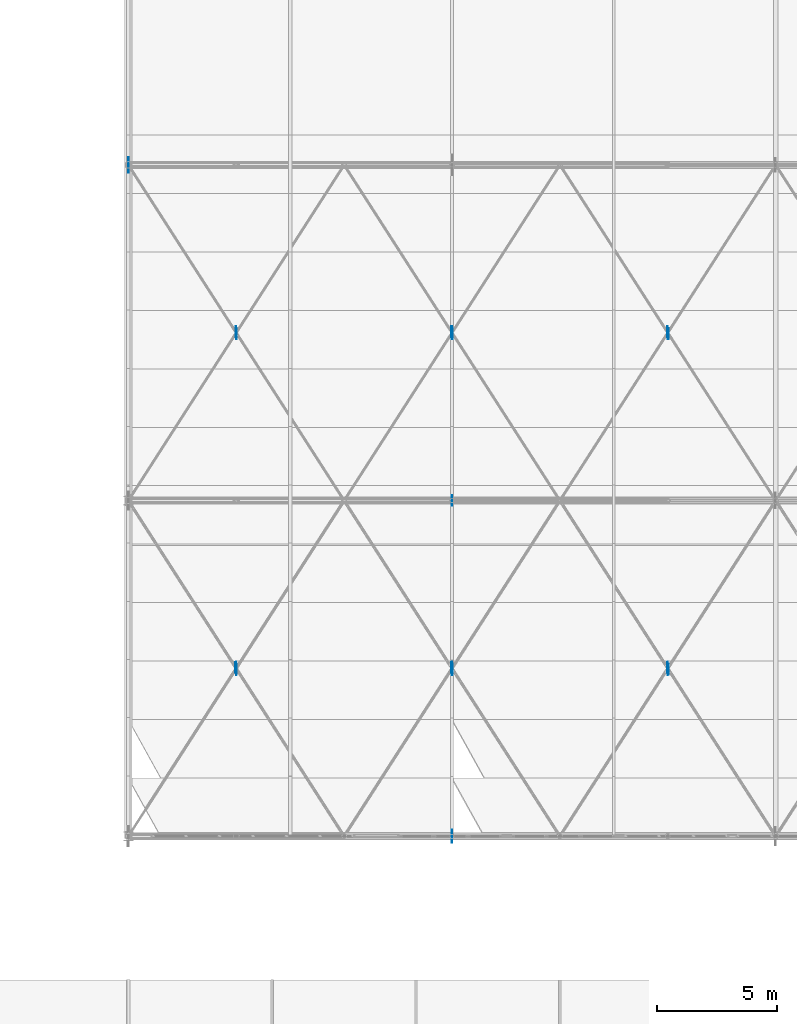
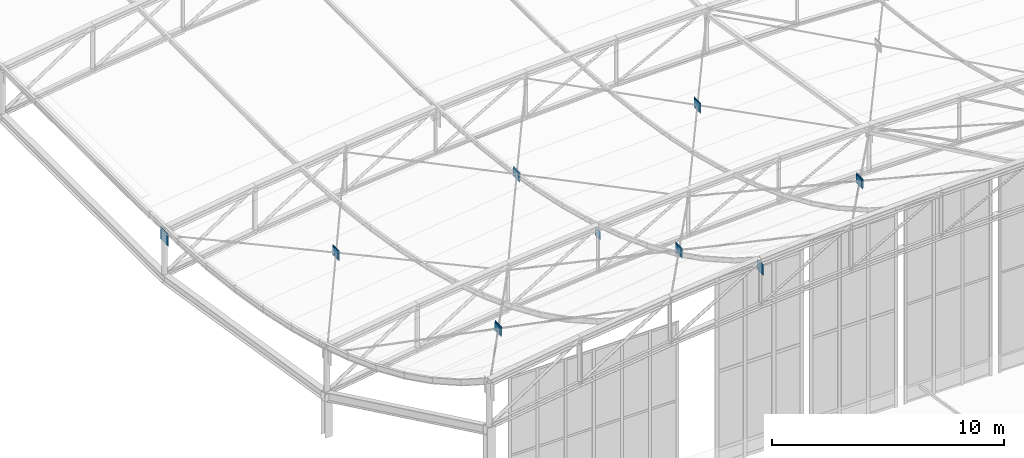
# One storey, part 251 of 262: 21 plates.
"""IFC4 building model written with IfcOpenShell, lengths in metres."""

import ifcopenshell
import ifcopenshell.guid

model = None  # the IFC model being written
_history = None  # IfcOwnerHistory: only IFC2X3 demands one
_inside = {}  # id of a spatial element -> (the spatial element, [elements in it])
_under = {}  # id of a project, library or spatial element -> (it, [spatial elements below it])
_declared = {}  # id of a project -> (the project, [libraries it declares])
_typed = {}  # id of a type object -> (the type object, [elements of that type])
_made_of = {}  # id of a material, layer set ... -> (it, [elements and type objects made of it])


def new_model(schema):
    """Start an empty IFC model of exactly this schema.

    Asked for "IFC4X3", IfcOpenShell would pick the latest addendum, in which some entities
    have other attributes; the version numbers below select the first issue.
    IFC2X3 requires an IfcOwnerHistory on every rooted entity: one is made here for all.
    """
    global model, _history
    if schema == "IFC4X3":
        model = ifcopenshell.file(schema_version=(4, 3, 0, 0))
    else:
        model = ifcopenshell.file(schema=schema)
    _inside.clear()
    _under.clear()
    _declared.clear()
    _typed.clear()
    _made_of.clear()
    _history = None
    if model.schema == "IFC2X3":
        org = make("IfcOrganization", Name="unknown")
        user = make(
            "IfcPersonAndOrganization",
            ThePerson=make("IfcPerson", FamilyName="unknown"),
            TheOrganization=org,
        )
        app = make(
            "IfcApplication",
            ApplicationDeveloper=org,
            Version="unknown",
            ApplicationFullName="unknown",
            ApplicationIdentifier="unknown",
        )
        _history = make(
            "IfcOwnerHistory",
            OwningUser=user,
            OwningApplication=app,
            ChangeAction="ADDED",
            CreationDate=0,
        )
    return model


def make(cls, **values):
    """One entity of the class cls with the attributes given. An attribute that is None is left unset."""
    return model.create_entity(
        cls, **{name: value for name, value in values.items() if value is not None}
    )


def rooted(cls, **values):
    """An entity with a GlobalId (a new one), such as an element, a storey or a relation."""
    return make(cls, GlobalId=ifcopenshell.guid.new(), OwnerHistory=_history, **values)


def si_unit(unit_type, name, prefix=None):
    """IfcSIUnit, for example si_unit("LENGTHUNIT", "METRE", prefix="MILLI")."""
    return make("IfcSIUnit", UnitType=unit_type, Prefix=prefix, Name=name)


def derived_unit(unit_type, elements):
    """IfcDerivedUnit: a product of units, each with its exponent."""
    return make(
        "IfcDerivedUnit",
        Elements=[
            make("IfcDerivedUnitElement", Unit=unit, Exponent=power)
            for unit, power in elements
        ],
        UnitType=unit_type,
    )


def assignment(units):
    """IfcUnitAssignment: the units of a project."""
    return None if units is None else make("IfcUnitAssignment", Units=units)


def point(xyz):
    """IfcCartesianPoint."""
    return None if xyz is None else make("IfcCartesianPoint", Coordinates=xyz)


def direction(xyz):
    """IfcDirection."""
    return None if xyz is None else make("IfcDirection", DirectionRatios=xyz)


def frame(location, z_axis=None, x_axis=None):
    """IfcAxis2Placement3D, a coordinate frame: its origin and axes. An axis left out is left unset."""
    return make(
        "IfcAxis2Placement3D",
        Location=point(location),
        Axis=direction(z_axis),
        RefDirection=direction(x_axis),
    )


def frame_2d(location, x_axis=None):
    """IfcAxis2Placement2D, a coordinate frame in the plane: its origin and x axis."""
    return make(
        "IfcAxis2Placement2D", Location=point(location), RefDirection=direction(x_axis)
    )


def origin():
    """The frame at (0, 0, 0) with its axes left unset."""
    return frame((0.0, 0.0, 0.0))


def origin_2d():
    """The frame at (0, 0) in the plane with its x axis left unset."""
    return frame_2d((0.0, 0.0))


def place(relative_to, where):
    """IfcLocalPlacement: puts the frame where relative to a parent placement (None: the world)."""
    return make(
        "IfcLocalPlacement", PlacementRelTo=relative_to, RelativePlacement=where
    )


def context(
    kind, dimensions, precision=None, world=None, true_north=None, identifier=None
):
    """IfcGeometricRepresentationContext, for example the 3D "Model" context."""
    return make(
        "IfcGeometricRepresentationContext",
        ContextIdentifier=identifier,
        ContextType=kind,
        CoordinateSpaceDimension=dimensions,
        Precision=precision,
        WorldCoordinateSystem=world,
        TrueNorth=true_north,
    )


def subcontext(parent, identifier, kind, view, scale=None):
    """IfcGeometricRepresentationSubContext, for example "Body" below "Model"."""
    return make(
        "IfcGeometricRepresentationSubContext",
        ContextIdentifier=identifier,
        ContextType=kind,
        ParentContext=parent,
        TargetScale=scale,
        TargetView=view,
    )


def project(units=None, contexts=None):
    """IfcProject with its units and contexts."""
    return rooted(
        "IfcProject",
        Name="project",
        RepresentationContexts=contexts,
        UnitsInContext=assignment(units),
    )


def spatial(cls, under=None, at=None, **own):
    """A site, building, storey or space (cls), placed at a placement, below another one or the project."""
    s = rooted(cls, ObjectPlacement=at, **own)
    if under is not None:
        _under.setdefault(under.id(), (under, []))[1].append(s)
    return s


def profile(cls, at=None, kind="AREA", **sizes):
    """A parametric profile (cls). Its sizes go by their IFC names, for example OverallWidth=200.0."""
    return make(cls, ProfileType=kind, Position=at, **sizes)


def rectangle(**sizes):
    """IfcRectangleProfileDef."""
    return profile("IfcRectangleProfileDef", **sizes)


def extrude(swept, where, along, depth):
    """IfcExtrudedAreaSolid: the profile swept, set in the frame where, extruded along a direction by depth."""
    return make(
        "IfcExtrudedAreaSolid",
        SweptArea=swept,
        Position=where,
        ExtrudedDirection=direction(along),
        Depth=depth,
    )


def shape(context_of_items, identifier, shape_type, items):
    """IfcShapeRepresentation: the items that make up one representation, for example the "Body"."""
    return make(
        "IfcShapeRepresentation",
        ContextOfItems=context_of_items,
        RepresentationIdentifier=identifier,
        RepresentationType=shape_type,
        Items=items,
    )


def material(Name=None, Category=None):
    """IfcMaterial."""
    return make("IfcMaterial", Name=Name, Category=Category)


def layer(
    of_material, thickness, ventilated=None, Name=None, Category=None, Priority=None
):
    """IfcMaterialLayer: one layer of a wall or slab, of a material (None: an air gap)."""
    return make(
        "IfcMaterialLayer",
        Material=of_material,
        LayerThickness=thickness,
        IsVentilated=ventilated,
        Name=Name,
        Category=Category,
        Priority=Priority,
    )


def layer_set(layers, Name=None):
    """IfcMaterialLayerSet."""
    return make("IfcMaterialLayerSet", MaterialLayers=layers, LayerSetName=Name)


def made_of(thing, what):
    """Note that an element or type object is made of a material, layer set ...; save() writes the relation."""
    if what is not None:
        _made_of.setdefault(what.id(), (what, []))[1].append(thing)
    return thing


def type_object(cls, material=None, **own):
    """A type object (cls), such as IfcWallType, which elements share."""
    return made_of(rooted(cls, **own), material)


def element(
    cls,
    number,
    at=None,
    inside=None,
    cuts=None,
    type_object=None,
    material=None,
    context=None,
    identifier="Body",
    shape_type=None,
    held_by="IfcProductDefinitionShape",
    body=None,
    shapes=None,
    **own,
):
    """One element of the class cls, such as IfcWall. Its Tag is "e" and its number.

    at: its placement. inside: the storey or other place that contains it. cuts: it is an
    opening in that element (IfcRelVoidsElement). A single representation is given by context,
    identifier, shape_type and body (its items); several are given by shapes. held_by: the class
    of the entity that holds the representations. save() writes the other relations.
    """
    e = rooted(cls, Tag="e%d" % number, ObjectPlacement=at, **own)
    if body is not None:
        shapes = [shape(context, identifier, shape_type, body)]
    if shapes is not None:
        e.Representation = make(held_by, Representations=shapes)
    if inside is not None:
        _inside.setdefault(inside.id(), (inside, []))[1].append(e)
    if cuts is not None:
        rooted(
            "IfcRelVoidsElement", RelatingBuildingElement=cuts, RelatedOpeningElement=e
        )
    if type_object is not None:
        _typed.setdefault(type_object.id(), (type_object, []))[1].append(e)
    return made_of(e, material)


def aggregate(whole, parts):
    """IfcRelAggregates: a whole, such as a stair, and the parts it consists of."""
    return rooted("IfcRelAggregates", RelatingObject=whole, RelatedObjects=parts)


def save(model, path):
    """Write the relations noted so far, then the file.

    IfcRelAggregates (storeys below a building ...), IfcRelContainedInSpatialStructure (elements
    in a storey), IfcRelDefinesByType, IfcRelAssociatesMaterial and IfcRelDeclares: one each for
    every whole, place, type object, material and project.
    """
    for whole, parts in _under.values():
        aggregate(whole, parts)
    for where, things in _inside.values():
        rooted(
            "IfcRelContainedInSpatialStructure",
            RelatedElements=things,
            RelatingStructure=where,
        )
    for kind, things in _typed.values():
        rooted("IfcRelDefinesByType", RelatedObjects=things, RelatingType=kind)
    for what, things in _made_of.values():
        rooted("IfcRelAssociatesMaterial", RelatedObjects=things, RelatingMaterial=what)
    for by, libraries in _declared.values():
        rooted("IfcRelDeclares", RelatingContext=by, RelatedDefinitions=libraries)
    model.write(path)


model = new_model("IFC4")

# Units and contexts
model_context = context("Model", 3, precision=1e-05, world=origin(), true_north=direction((0.0, 1.0)))
body_context = subcontext(model_context, "Body", "Model", "MODEL_VIEW")
ifc_project = project(units=[si_unit("LENGTHUNIT", "METRE"), si_unit("AREAUNIT", "SQUARE_METRE"), si_unit("VOLUMEUNIT", "CUBIC_METRE"), si_unit("PLANEANGLEUNIT", "RADIAN"), si_unit("MASSUNIT", "GRAM", prefix="KILO"), derived_unit("THERMALTRANSMITTANCEUNIT", [(si_unit("POWERUNIT", "WATT"), 1), (si_unit("LENGTHUNIT", "METRE"), -2), (si_unit("THERMODYNAMICTEMPERATUREUNIT", "KELVIN"), -1)])], contexts=[model_context])

# Site, building, storey
site_placement = place(None, origin())
site = spatial("IfcSite", under=ifc_project, at=site_placement, CompositionType="ELEMENT")
building_placement = place(site_placement, origin())
building = spatial("IfcBuilding", under=site, at=building_placement, Name="Almenara Railside Exhibition Hall", CompositionType="ELEMENT")
storey_placement = place(building_placement, frame((0.0, 0.0, 21.699951171875)))
storey = spatial("IfcBuildingStorey", under=building, at=storey_placement, Name="RF", CompositionType="ELEMENT", Elevation=21.699951171875)

# Plates
ifc_material = material(Name="Structural steel S355JR", Category="steel")
ifc_layer_1 = layer(ifc_material, 0.011962890625, Name="Structural steel S355JR")
ifc_layer_set_1 = layer_set([ifc_layer_1], Name="Structural steel S355JR")
plate_type_1 = type_object("IfcPlateType", Name="Truss Node Gusset Plate 12mm S355JR", PredefinedType="USERDEFINED", material=ifc_layer_set_1)
for number, where, z_axis, x_axis, name in (
    (1, (151.5, 48.0, -3.94140625), (0.0, 0.0, 1.0), (0.0, 1.0, 0.0), "PLT-GUS-0119"),
    (2, (142.52490234375, 40.96142578125, -1.5302734375), (0.0, 0.0, 1.0), (0.0, 1.0, 0.0), "PLT-GUS-0154"),
    (3, (142.47509765625, 41.03857421875, -1.57421875), (0.0, 0.0, 1.0), (0.0, 1.0, 0.0), "PLT-GUS-0155"),
    (4, (151.525146484375, 40.9609375, -0.55322265625), (0.0, 0.0, 1.0), (0.0, 1.0, 0.0), "PLT-GUS-0157"),
    (5, (151.474853515625, 41.0390625, -0.59521484375), (0.0, 0.0, 1.0), (0.0, 1.0, 0.0), "PLT-GUS-0158"),
    (6, (160.525390625, 40.960693359375, -0.06591796875), (0.0, 0.0, 1.0), (0.0, 1.0, 0.0), "PLT-GUS-0160"),
    (7, (160.474609375, 41.039306640625, -0.10498046875), (0.0, 0.0, 1.0), (0.0, 1.0, 0.0), "PLT-GUS-0161"),
    (8, (142.5234375, 54.96337890625, -6.03564453125), (0.0, 0.0, 1.0), (0.0, 1.0, 0.0), "PLT-GUS-0172"),
    (9, (142.4765625, 55.03662109375, -6.0537109375), (0.0, 0.0, 1.0), (0.0, 1.0, 0.0), "PLT-GUS-0173"),
    (10, (151.523681640625, 54.963134765625, -5.05908203125), (0.0, 0.0, 1.0), (0.0, 1.0, 0.0), "PLT-GUS-0175"),
    (11, (151.476318359375, 55.036865234375, -5.07470703125), (0.0, 0.0, 1.0), (0.0, 1.0, 0.0), "PLT-GUS-0176"),
    (12, (160.523681640625, 54.962890625, -4.5712890625), (0.0, 0.0, 1.0), (0.0, 1.0, 0.0), "PLT-GUS-0178"),
    (13, (160.476318359375, 55.037109375, -4.58447265625), (0.0, 0.0, 1.0), (0.0, 1.0, 0.0), "PLT-GUS-0179"),
):
    element("IfcPlate", number, at=place(storey_placement, frame(where, z_axis=z_axis, x_axis=x_axis)), inside=storey, type_object=plate_type_1, Name=name, ObjectType="GUSSET_PLATE", PredefinedType="USERDEFINED", context=body_context, shape_type="SweptSolid", body=[
        extrude(rectangle(XDim=0.449951171875, YDim=0.011962890625, at=origin_2d()), origin(), (0.0, 0.0, 1.0), 0.449951171875),
    ])
ifc_layer_2 = layer(ifc_material, 0.01611328125, Name="Structural steel S355JR")
ifc_layer_set_2 = layer_set([ifc_layer_2], Name="Structural steel S355JR")
plate_type_2 = type_object("IfcPlateType", Name="Truss Node Gusset Plate 16mm S355JR", PredefinedType="USERDEFINED", material=ifc_layer_set_2)
for number, where, z_axis, x_axis, name in (
    (14, (151.5, 34.0, 2.72509765625), (0.0, 0.0, 1.0), (0.0, 1.0, 0.0), "PLT-GUS-0114"),
    (15, (142.5, 41.0, -1.60205078125), (0.0, 0.0, 1.0), (0.0, 1.0, 0.0), "PLT-GUS-0153"),
    (16, (151.5, 41.0, -0.62451171875), (0.0, 0.0, 1.0), (0.0, 1.0, 0.0), "PLT-GUS-0156"),
    (17, (160.5, 41.0, -0.13525390625), (0.0, 0.0, 1.0), (0.0, 1.0, 0.0), "PLT-GUS-0159"),
    (18, (142.5, 55.0, -6.0947265625), (0.0, 0.0, 1.0), (0.0, 1.0, 0.0), "PLT-GUS-0171"),
    (19, (151.5, 55.0, -5.1171875), (0.0, 0.0, 1.0), (0.0, 1.0, 0.0), "PLT-GUS-0174"),
    (20, (160.5, 55.0, -4.6279296875), (0.0, 0.0, 1.0), (0.0, 1.0, 0.0), "PLT-GUS-0177"),
):
    element("IfcPlate", number, at=place(storey_placement, frame(where, z_axis=z_axis, x_axis=x_axis)), inside=storey, type_object=plate_type_2, Name=name, ObjectType="GUSSET_PLATE", PredefinedType="USERDEFINED", context=body_context, shape_type="SweptSolid", body=[
        extrude(rectangle(XDim=0.550048828125, YDim=0.01611328125, at=origin_2d()), origin(), (0.0, 0.0, 1.0), 0.550048828125),
    ])
ifc_layer_3 = layer(ifc_material, 0.02001953125, Name="Structural steel S355JR")
ifc_layer_set_3 = layer_set([ifc_layer_3], Name="Structural steel S355JR")
plate_type_3 = type_object("IfcPlateType", Name="Truss Node Gusset Plate 20mm S355JR", PredefinedType="USERDEFINED", material=ifc_layer_set_3)
plate_placement = place(storey_placement, frame((138.0, 62.0, -7.960205078125), z_axis=(0.0, 0.0, 1.0), x_axis=(0.0, 1.0, 0.0)))
element("IfcPlate", 21, at=plate_placement, inside=storey, type_object=plate_type_3, Name="PLT-GUS-0123", ObjectType="GUSSET_PLATE", PredefinedType="USERDEFINED", context=body_context, shape_type="SweptSolid", body=[
    extrude(rectangle(XDim=0.64990234375, YDim=0.02001953125, at=origin_2d()), origin(), (0.0, 0.0, 1.0), 0.64990234375),
])

save(model, "model.ifc")
